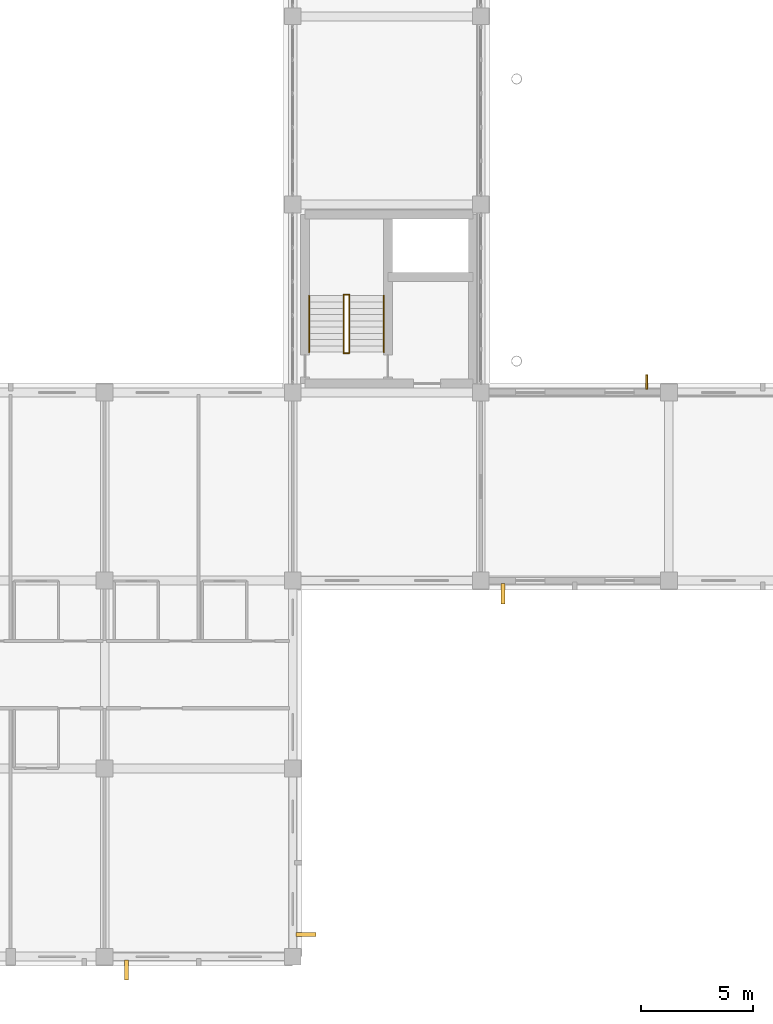
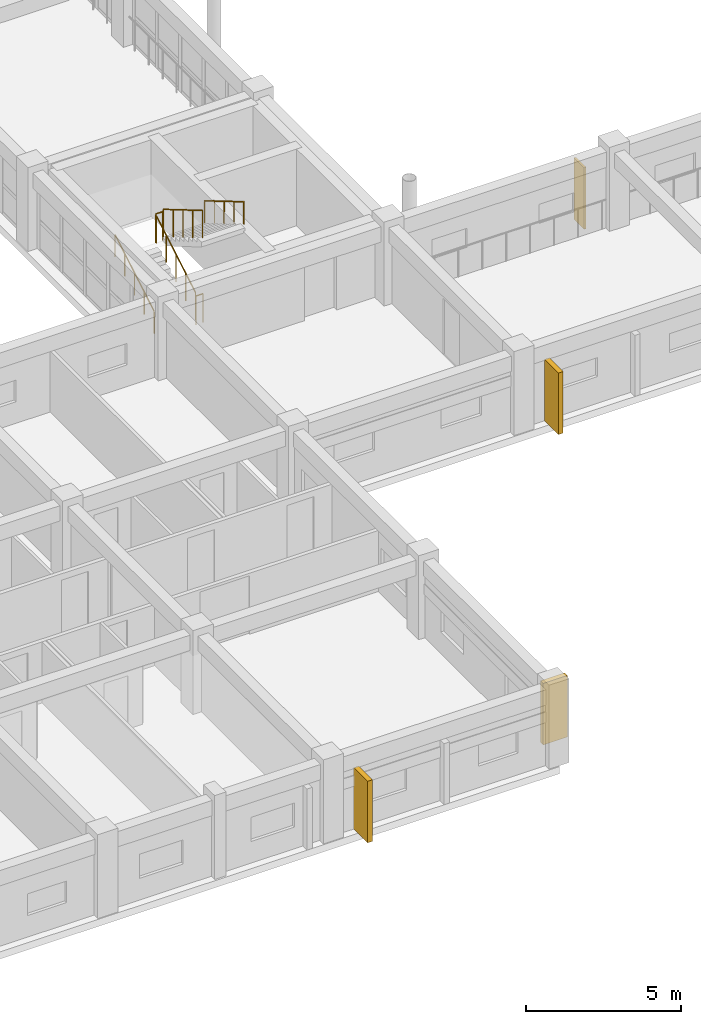
# One storey, part 198 of 200: 6 railings, 4 shading devices.
"""IFC4 building model written with IfcOpenShell, lengths in metres."""

from ifc_helpers import new_model, si_unit, direction, frame, origin, origin_2d, place, context, subcontext, project, spatial, rectangle, circle, extrude, material, type_object, element, save


model = new_model("IFC4")

# Units and contexts
model_context = context("Model", 3, precision=1e-05, world=origin(), true_north=direction((0.0, 1.0)))
body_context = subcontext(model_context, "Body", "Model", "MODEL_VIEW")
ifc_project = project(units=[si_unit("LENGTHUNIT", "METRE"), si_unit("AREAUNIT", "SQUARE_METRE"), si_unit("VOLUMEUNIT", "CUBIC_METRE"), si_unit("PLANEANGLEUNIT", "RADIAN"), si_unit("MASSUNIT", "GRAM", prefix="KILO")], contexts=[model_context])

# Site, building, storey
site_placement = place(None, origin())
site = spatial("IfcSite", under=ifc_project, at=site_placement, CompositionType="ELEMENT")
building_placement = place(site_placement, origin())
building = spatial("IfcBuilding", under=site, at=building_placement, Name="Trelvath General Hospital", CompositionType="ELEMENT")
storey_placement = place(building_placement, frame((0.0, 0.0, 4.800048828125)))
storey = spatial("IfcBuildingStorey", under=building, at=storey_placement, Name="L01", CompositionType="ELEMENT", Elevation=4.800048828125)

# Shading devices
ifc_material_1 = material(Name="Precast concrete C40/50", Category="concrete")
shading_device_type_1 = type_object("IfcShadingDeviceType", Name="BriseSoleil PrecastFin900", PredefinedType="JALOUSIE", material=ifc_material_1)
for number, where, z_axis, x_axis, name in (
    (1, (126.98291015625, -0.590087890625, 0.0), (0.0, 0.0, 1.0), (0.0, -1.0, 0.0), "Solar Brise-Soleil Screen L01-26"),
    (2, (134.989990234375, 0.98291015625, 0.0), (0.0, 0.0, 1.0), (1.0, 0.0, 0.0), "Solar Brise-Soleil Screen L01-27"),
    (3, (143.78271484375, 16.2099609375, 0.0), (0.0, 0.0, 1.0), (0.0, -1.0, 0.0), "Solar Brise-Soleil Screen L01-28"),
):
    element("IfcShadingDevice", number, at=place(storey_placement, frame(where, z_axis=z_axis, x_axis=x_axis)), inside=storey, type_object=shading_device_type_1, Name=name, PredefinedType="JALOUSIE", context=body_context, shape_type="SweptSolid", body=[
        extrude(rectangle(XDim=0.89990234375, YDim=0.179931640625, at=origin_2d()), origin(), (0.0, 0.0, 1.0), 2.419921875),
    ])

# Railings
ifc_material_2 = material(Name="Architectural painted steel", Category="steel")
railing_type_1 = type_object("IfcRailingType", Name="Guardrail Terrace1150", PredefinedType="GUARDRAIL", material=ifc_material_2)
railing_1_placement = place(storey_placement, frame((136.669921875, 26.9599609375, 0.0)))
element("IfcRailing", 4, at=railing_1_placement, inside=storey, type_object=railing_type_1, Name="Stair Well Edge Guard C7 L01 234", PredefinedType="GUARDRAIL", context=body_context, shape_type="SweptSolid", body=[
    extrude(circle(Radius=0.02392578125, at=origin_2d()), frame((0.0, 0.0, 1.1259765625), z_axis=(1.0, 0.0, 0.0), x_axis=(0.0, 1.0, 0.0)), (0.0, 0.0, 1.0), 0.260009765625),
    extrude(circle(Radius=0.02099609375, at=origin_2d()), origin(), (0.0, 0.0, 1.0), 1.099853515625),
    extrude(circle(Radius=0.02099609375, at=origin_2d()), frame((0.260009765625, 0.0, 0.0)), (0.0, 0.0, 1.0), 1.099853515625),
])
railing_2_placement = place(storey_placement, frame((136.929931640625, 29.52001953125, 1.81494140625)))
element("IfcRailing", 5, at=railing_2_placement, inside=storey, type_object=railing_type_1, Name="Stair Rail ST7 L01 F2 L 236", PredefinedType="GUARDRAIL", context=body_context, shape_type="SweptSolid", body=[
    extrude(circle(Radius=0.02392578125, at=origin_2d()), frame((0.0, 0.0, 1.076171875), z_axis=(0.0, -0.86152411907, 0.507716645641), x_axis=(1.0, 0.0, 0.0)), (0.0, 0.0, 1.0), 2.925048828125),
    extrude(circle(Radius=0.02099609375, at=origin_2d()), origin(), (0.0, 0.0, 1.0), 1.050048828125),
    extrude(circle(Radius=0.02099609375, at=origin_2d()), frame((0.0, -0.6298828125, 0.371337890625)), (0.0, 0.0, 1.0), 1.050048828125),
    extrude(circle(Radius=0.02099609375, at=origin_2d()), frame((0.0, -1.260009765625, 0.74267578125)), (0.0, 0.0, 1.0), 1.050048828125),
    extrude(circle(Radius=0.02099609375, at=origin_2d()), frame((0.0, -1.89013671875, 1.11376953125)), (0.0, 0.0, 1.0), 1.050048828125),
    extrude(circle(Radius=0.02099609375, at=origin_2d()), frame((0.0, -2.52001953125, 1.485107421875)), (0.0, 0.0, 1.0), 1.050048828125),
])
railing_3_placement = place(storey_placement, frame((136.669921875, 27.0, 0.1650390625)))
element("IfcRailing", 6, at=railing_3_placement, inside=storey, type_object=railing_type_1, Name="Stair Rail ST7 L01 F1 R 237", PredefinedType="GUARDRAIL", context=body_context, shape_type="SweptSolid", body=[
    extrude(circle(Radius=0.02392578125, at=origin_2d()), frame((0.0, 0.0, 1.076171875), z_axis=(0.0, 0.861560626758, 0.507654692109), x_axis=(-1.0, 0.0, 0.0)), (0.0, 0.0, 1.0), 2.925048828125),
    extrude(circle(Radius=0.02099609375, at=origin_2d()), origin(), (0.0, 0.0, 1.0), 1.050048828125),
    extrude(circle(Radius=0.02099609375, at=origin_2d()), frame((0.0, 0.6298828125, 0.37109375)), (0.0, 0.0, 1.0), 1.050048828125),
    extrude(circle(Radius=0.02099609375, at=origin_2d()), frame((0.0, 1.260009765625, 0.742431640625)), (0.0, 0.0, 1.0), 1.050048828125),
    extrude(circle(Radius=0.02099609375, at=origin_2d()), frame((0.0, 1.89013671875, 1.11376953125)), (0.0, 0.0, 1.0), 1.050048828125),
    extrude(circle(Radius=0.02099609375, at=origin_2d()), frame((0.0, 2.52001953125, 1.48486328125)), (0.0, 0.0, 1.0), 1.050048828125),
])
railing_4_placement = place(storey_placement, frame((136.669921875, 29.56005859375, 1.64990234375)))
element("IfcRailing", 7, at=railing_4_placement, inside=storey, type_object=railing_type_1, Name="Half-Landing Well Guard ST7 L01 239", PredefinedType="GUARDRAIL", context=body_context, shape_type="SweptSolid", body=[
    extrude(circle(Radius=0.02392578125, at=origin_2d()), frame((0.0, 0.0, 1.1259765625), z_axis=(1.0, 0.0, 0.0), x_axis=(0.0, 1.0, 0.0)), (0.0, 0.0, 1.0), 0.260009765625),
    extrude(circle(Radius=0.02099609375, at=origin_2d()), origin(), (0.0, 0.0, 1.0), 1.099853515625),
    extrude(circle(Radius=0.02099609375, at=origin_2d()), frame((0.260009765625, 0.0, 0.0)), (0.0, 0.0, 1.0), 1.099853515625),
])
ifc_material_3 = material(Name="Brushed stainless steel", Category="steel")
railing_type_2 = type_object("IfcRailingType", Name="Handrail Stair900", PredefinedType="HANDRAIL", material=ifc_material_3)
railing_5_placement = place(storey_placement, frame((135.1298828125, 27.0, 0.1650390625)))
element("IfcRailing", 8, at=railing_5_placement, inside=storey, type_object=railing_type_2, Name="Stair Rail ST7 L01 F1 L 235", PredefinedType="HANDRAIL", context=body_context, shape_type="SweptSolid", body=[
    extrude(circle(Radius=0.02392578125, at=origin_2d()), frame((0.0, 0.0, 0.8759765625), z_axis=(0.0, 0.861560626758, 0.507654692109), x_axis=(-1.0, 0.0, 0.0)), (0.0, 0.0, 1.0), 2.925048828125),
    extrude(circle(Radius=0.02099609375, at=origin_2d()), origin(), (0.0, 0.0, 1.0), 0.849853515625),
    extrude(circle(Radius=0.02099609375, at=origin_2d()), frame((0.0, 0.6298828125, 0.37109375)), (0.0, 0.0, 1.0), 0.849853515625),
    extrude(circle(Radius=0.02099609375, at=origin_2d()), frame((0.0, 1.260009765625, 0.742431640625)), (0.0, 0.0, 1.0), 0.849853515625),
    extrude(circle(Radius=0.02099609375, at=origin_2d()), frame((0.0, 1.89013671875, 1.11376953125)), (0.0, 0.0, 1.0), 0.849853515625),
    extrude(circle(Radius=0.02099609375, at=origin_2d()), frame((0.0, 2.52001953125, 1.48486328125)), (0.0, 0.0, 1.0), 0.849853515625),
])
railing_6_placement = place(storey_placement, frame((138.469970703125, 29.52001953125, 1.81494140625)))
element("IfcRailing", 9, at=railing_6_placement, inside=storey, type_object=railing_type_2, Name="Stair Rail ST7 L01 F2 R 238", PredefinedType="HANDRAIL", context=body_context, shape_type="SweptSolid", body=[
    extrude(circle(Radius=0.02392578125, at=origin_2d()), frame((0.0, 0.0, 0.8759765625), z_axis=(0.0, -0.86152411907, 0.507716645641), x_axis=(1.0, 0.0, 0.0)), (0.0, 0.0, 1.0), 2.925048828125),
    extrude(circle(Radius=0.02099609375, at=origin_2d()), origin(), (0.0, 0.0, 1.0), 0.849853515625),
    extrude(circle(Radius=0.02099609375, at=origin_2d()), frame((0.0, -0.6298828125, 0.371337890625)), (0.0, 0.0, 1.0), 0.849853515625),
    extrude(circle(Radius=0.02099609375, at=origin_2d()), frame((0.0, -1.260009765625, 0.74267578125)), (0.0, 0.0, 1.0), 0.849853515625),
    extrude(circle(Radius=0.02099609375, at=origin_2d()), frame((0.0, -1.89013671875, 1.11376953125)), (0.0, 0.0, 1.0), 0.849853515625),
    extrude(circle(Radius=0.02099609375, at=origin_2d()), frame((0.0, -2.52001953125, 1.485107421875)), (0.0, 0.0, 1.0), 0.849853515625),
])

# Shading device
ifc_material_4 = material(Name="Anodised aluminium", Category="aluminium")
shading_device_type_2 = type_object("IfcShadingDeviceType", Name="SolarScreen PerforatedAlu", PredefinedType="JALOUSIE", material=ifc_material_4)
shading_device_placement = place(storey_placement, frame((150.21728515625, 25.6650390625, 0.0), z_axis=(0.0, 0.0, 1.0), x_axis=(0.0, 1.0, 0.0)))
element("IfcShadingDevice", 10, at=shading_device_placement, inside=storey, type_object=shading_device_type_2, Name="Solar Brise-Soleil Screen L01-29", PredefinedType="JALOUSIE", context=body_context, shape_type="SweptSolid", body=[
    extrude(rectangle(XDim=0.64990234375, YDim=0.080078125, at=origin_2d()), origin(), (0.0, 0.0, 1.0), 2.419921875),
])

save(model, "model.ifc")
